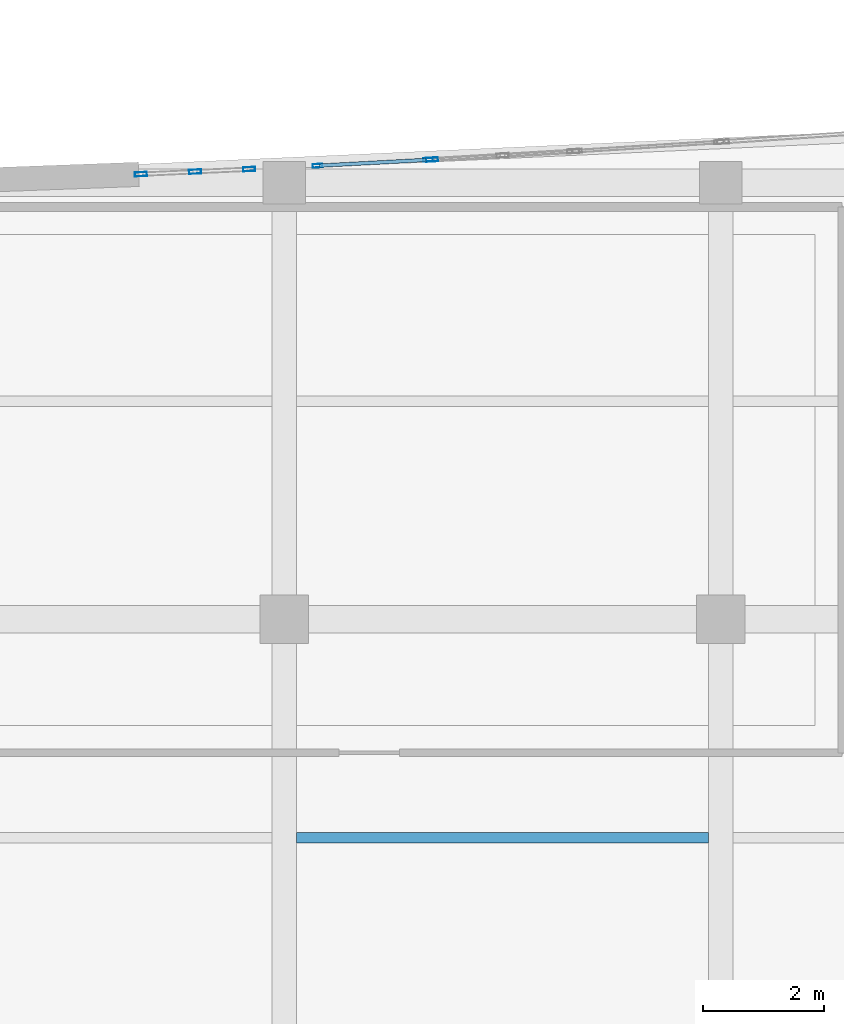
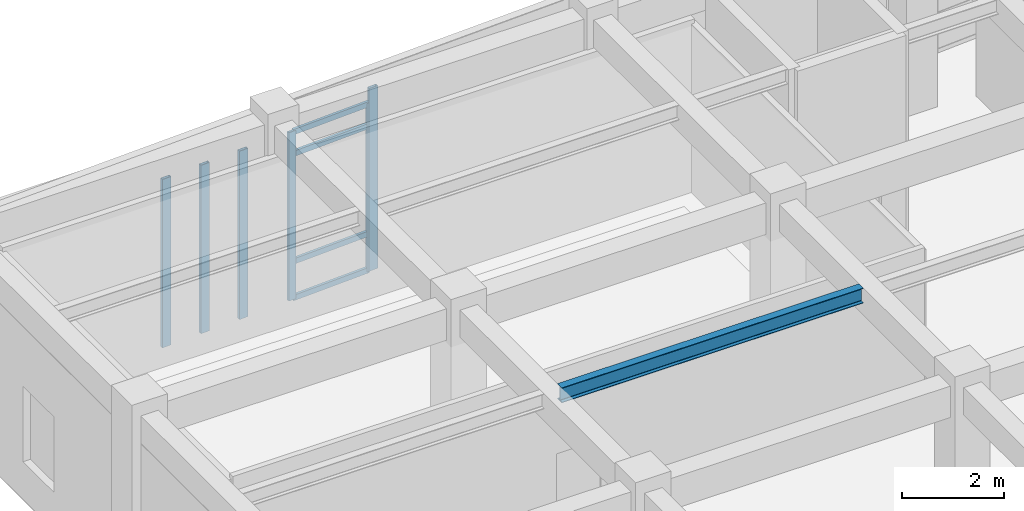
# One storey, part 26 of 117: 10 members, 1 beam, 3 elements without a shape of their own.
"""IFC4 building model written with IfcOpenShell, lengths in metres."""

from ifc_helpers import new_model, si_unit, direction, frame, origin, origin_2d, place, context, subcontext, project, spatial, hollow_rectangle, i_section, extrude, material, layer, layer_set, material_profile, profile_set, type_object, element, aggregate, save


model = new_model("IFC4")

# Units and contexts
model_context = context("Model", 3, precision=1e-05, world=origin(), true_north=direction((0.0, 1.0)))
body_context = subcontext(model_context, "Body", "Model", "MODEL_VIEW")
ifc_project = project(units=[si_unit("LENGTHUNIT", "METRE"), si_unit("AREAUNIT", "SQUARE_METRE"), si_unit("VOLUMEUNIT", "CUBIC_METRE"), si_unit("PLANEANGLEUNIT", "RADIAN"), si_unit("MASSUNIT", "GRAM", prefix="KILO")], contexts=[model_context])

# Site, building, storey
site_placement = place(None, origin())
site = spatial("IfcSite", under=ifc_project, at=site_placement, CompositionType="ELEMENT")
building_placement = place(site_placement, origin())
building = spatial("IfcBuilding", under=site, at=building_placement, Name="Carrowvane Square Congress Hotel", CompositionType="ELEMENT")
storey_placement = place(building_placement, frame((0.0, 0.0, 5.39990234375)))
storey = spatial("IfcBuildingStorey", under=building, at=storey_placement, Name="L01", CompositionType="ELEMENT", Elevation=5.39990234375)

# Beam
ifc_material_1 = material(Name="Steel S355", Category="steel")
ifc_material_profile_1 = material_profile(ifc_material_1, i_section(OverallWidth=0.172119140625, OverallDepth=0.35791015625, WebThickness=0.008056640625, FlangeThickness=0.012939453125, FilletRadius=0.01025390625, at=origin_2d()), Name="UKB 356x171x57")
ifc_profile_set_1 = profile_set([ifc_material_profile_1], Name="Steel S355")
beam_type = type_object("IfcBeamType", Name="BM-ST-UKB356", PredefinedType="JOIST", material=ifc_profile_set_1)
beam_placement = place(storey_placement, frame((40.60009765625, 102.60009765625, 4.60107421875), z_axis=(1.0, 0.0, 0.0), x_axis=(0.0, 1.0, 0.0)))
element("IfcBeam", 1, at=beam_placement, inside=storey, type_object=beam_type, Name="L02 secondary joist 5-6", PredefinedType="JOIST", context=body_context, shape_type="SweptSolid", body=[
    extrude(i_section(OverallWidth=0.172119140625, OverallDepth=0.35791015625, WebThickness=0.008056640625, FlangeThickness=0.012939453125, FilletRadius=0.01025390625, at=origin_2d()), origin(), (0.0, 0.0, 1.0), 6.7998046875),
])

# Curtain wall, members
ifc_material_2 = material(Name="Anodised aluminium", Category="aluminium")
ifc_layer_1 = layer(ifc_material_2, 0.162109375)
ifc_layer_set_1 = layer_set([ifc_layer_1], Name="Anodised aluminium")
curtain_wall_type_1 = type_object("IfcCurtainWallType", Name="CW-SYS-1", PredefinedType="NOTDEFINED", material=ifc_layer_set_1)
curtain_wall_1_placement = place(storey_placement, origin())
curtain_wall_1 = element("IfcCurtainWall", 2, at=curtain_wall_1_placement, inside=storey, type_object=curtain_wall_type_1, Name="L01 unitised curtain wall 64", PredefinedType="NOTDEFINED")
ifc_material_3 = material(Name="Anodised aluminium", Category="aluminium")
ifc_material_profile_2 = material_profile(ifc_material_3, hollow_rectangle(XDim=0.06005859375, YDim=0.159912109375, WallThickness=0.00390625, at=origin_2d()), Name="CW-ML 60x160x4")
ifc_profile_set_2 = profile_set([ifc_material_profile_2], Name="Anodised aluminium")
member_type_1 = type_object("IfcMemberType", Name="CW-MUL-1", PredefinedType="MULLION", material=ifc_profile_set_2)
member_1_placement = place(storey_placement, frame((40.948974609375, 113.68212890625, 0.0), z_axis=(0.0, 0.0, 1.0), x_axis=(-0.053514573083, 0.998567068588, 0.0)))
member_1 = element("IfcMember", 3, at=member_1_placement, type_object=member_type_1, Name="CW-1 mullion 1", PredefinedType="MULLION", context=body_context, shape_type="SweptSolid", body=[
    extrude(hollow_rectangle(XDim=0.06005859375, YDim=0.159912109375, WallThickness=0.00390625, at=origin_2d()), origin(), (0.0, 0.0, 1.0), 4.01513671875),
])
member_2_placement = place(storey_placement, frame((42.77001953125, 113.77978515625, 0.0), z_axis=(0.0, 0.0, 1.0), x_axis=(-0.053514573083, 0.998567068588, 0.0)))
member_2 = element("IfcMember", 4, at=member_2_placement, type_object=member_type_1, Name="CW-1 mullion 2", PredefinedType="MULLION", context=body_context, shape_type="SweptSolid", body=[
    extrude(hollow_rectangle(XDim=0.06005859375, YDim=0.159912109375, WallThickness=0.00390625, at=origin_2d()), origin(), (0.0, 0.0, 1.0), 4.01513671875),
])

ifc_material_4 = material(Name="Anodised aluminium", Category="aluminium")
ifc_layer_2 = layer(ifc_material_4, 0.24609375)
ifc_layer_set_2 = layer_set([ifc_layer_2], Name="Anodised aluminium")
curtain_wall_type_2 = type_object("IfcCurtainWallType", Name="CW-SYS-8", PredefinedType="NOTDEFINED", material=ifc_layer_set_2)
curtain_wall_2_placement = place(storey_placement, origin())
curtain_wall_2 = element("IfcCurtainWall", 5, at=curtain_wall_2_placement, inside=storey, type_object=curtain_wall_type_2, Name="L01 unitised curtain wall 63", PredefinedType="NOTDEFINED")
ifc_material_5 = material(Name="Anodised aluminium", Category="aluminium")
ifc_material_profile_3 = material_profile(ifc_material_5, hollow_rectangle(XDim=0.070068359375, YDim=0.199951171875, WallThickness=0.0048828125, at=origin_2d()), Name="CW-ML 70x200x5")
ifc_profile_set_3 = profile_set([ifc_material_profile_3], Name="Anodised aluminium")
member_type_2 = type_object("IfcMemberType", Name="CW-MUL-2", PredefinedType="MULLION", material=ifc_profile_set_3)
member_3_placement = place(storey_placement, frame((38.034912109375, 113.54248046875, 0.0), z_axis=(0.0, 0.0, 1.0), x_axis=(-0.04651698979, 0.998917498926, 0.0)))
member_3 = element("IfcMember", 6, at=member_3_placement, type_object=member_type_2, Name="CW-8 mullion 1", PredefinedType="MULLION", context=body_context, shape_type="SweptSolid", body=[
    extrude(hollow_rectangle(XDim=0.070068359375, YDim=0.199951171875, WallThickness=0.0048828125, at=origin_2d()), origin(), (0.0, 0.0, 1.0), 4.01513671875),
])
member_4_placement = place(storey_placement, frame((38.927734375, 113.584228515625, 0.0), z_axis=(0.0, 0.0, 1.0), x_axis=(-0.04651698979, 0.998917498926, 0.0)))
member_4 = element("IfcMember", 7, at=member_4_placement, type_object=member_type_2, Name="CW-8 mullion 2", PredefinedType="MULLION", context=body_context, shape_type="SweptSolid", body=[
    extrude(hollow_rectangle(XDim=0.070068359375, YDim=0.199951171875, WallThickness=0.0048828125, at=origin_2d()), origin(), (0.0, 0.0, 1.0), 4.01513671875),
])
member_5_placement = place(storey_placement, frame((39.820556640625, 113.625732421875, 0.0), z_axis=(0.0, 0.0, 1.0), x_axis=(-0.04651698979, 0.998917498926, 0.0)))
member_5 = element("IfcMember", 8, at=member_5_placement, type_object=member_type_2, Name="CW-8 mullion 3", PredefinedType="MULLION", context=body_context, shape_type="SweptSolid", body=[
    extrude(hollow_rectangle(XDim=0.070068359375, YDim=0.199951171875, WallThickness=0.0048828125, at=origin_2d()), origin(), (0.0, 0.0, 1.0), 4.01513671875),
])
aggregate(curtain_wall_2, [member_3, member_4, member_5])

# Curtain wall, member
ifc_material_6 = material(Name="Anodised aluminium", Category="aluminium")
ifc_layer_3 = layer(ifc_material_6, 0.174072265625)
ifc_layer_set_3 = layer_set([ifc_layer_3], Name="Anodised aluminium")
curtain_wall_type_3 = type_object("IfcCurtainWallType", Name="CW-SYS-2", PredefinedType="NOTDEFINED", material=ifc_layer_set_3)
curtain_wall_3_placement = place(storey_placement, origin())
curtain_wall_3 = element("IfcCurtainWall", 9, at=curtain_wall_3_placement, inside=storey, type_object=curtain_wall_type_3, Name="L01 unitised curtain wall 65", PredefinedType="NOTDEFINED")
member_6_placement = place(storey_placement, frame((42.8349609375, 113.783447265625, 0.0), z_axis=(0.0, 0.0, 1.0), x_axis=(-0.058988522254, 0.99825866099, 0.0)))
member_6 = element("IfcMember", 10, at=member_6_placement, type_object=member_type_2, Name="CW-2 mullion 1", PredefinedType="MULLION", context=body_context, shape_type="SweptSolid", body=[
    extrude(hollow_rectangle(XDim=0.070068359375, YDim=0.199951171875, WallThickness=0.0048828125, at=origin_2d()), origin(), (0.0, 0.0, 1.0), 4.355712890625),
])
aggregate(curtain_wall_3, [member_6])

# Member
ifc_material_7 = material(Name="Anodised aluminium", Category="aluminium")
ifc_material_profile_4 = material_profile(ifc_material_7, hollow_rectangle(XDim=0.06005859375, YDim=0.1298828125, WallThickness=0.00390625, at=origin_2d()), Name="CW-TR 60x130x4")
ifc_profile_set_4 = profile_set([ifc_material_profile_4], Name="Anodised aluminium")
member_type_3 = type_object("IfcMemberType", Name="CW-TRN-1", PredefinedType="USERDEFINED", material=ifc_profile_set_4)
member_7_placement = place(storey_placement, frame((40.97900390625, 113.683837890625, 0.030029296875), z_axis=(0.998571167987, 0.053438024517, 0.0), x_axis=(-0.053438024517, 0.998571167987, 0.0)))
member_7 = element("IfcMember", 11, at=member_7_placement, type_object=member_type_3, Name="CW-1 transom 1.1", ObjectType="TRANSOM", PredefinedType="USERDEFINED", context=body_context, shape_type="SweptSolid", body=[
    extrude(hollow_rectangle(XDim=0.06005859375, YDim=0.1298828125, WallThickness=0.00390625, at=origin_2d()), origin(), (0.0, 0.0, 1.0), 1.763427734375),
])

member_8_placement = place(storey_placement, frame((40.97900390625, 113.683837890625, 0.900146484375), z_axis=(0.998571167987, 0.053438024517, 0.0), x_axis=(-0.053438024517, 0.998571167987, 0.0)))
member_8 = element("IfcMember", 12, at=member_8_placement, type_object=member_type_3, Name="CW-1 transom 1.2", ObjectType="TRANSOM", PredefinedType="USERDEFINED", context=body_context, shape_type="SweptSolid", body=[
    extrude(hollow_rectangle(XDim=0.06005859375, YDim=0.1298828125, WallThickness=0.00390625, at=origin_2d()), origin(), (0.0, 0.0, 1.0), 1.763427734375),
])

member_9_placement = place(storey_placement, frame((40.97900390625, 113.683837890625, 3.465087890625), z_axis=(0.998571167987, 0.053438024517, 0.0), x_axis=(-0.053438024517, 0.998571167987, 0.0)))
member_9 = element("IfcMember", 13, at=member_9_placement, type_object=member_type_3, Name="CW-1 transom 1.3", ObjectType="TRANSOM", PredefinedType="USERDEFINED", context=body_context, shape_type="SweptSolid", body=[
    extrude(hollow_rectangle(XDim=0.06005859375, YDim=0.1298828125, WallThickness=0.00390625, at=origin_2d()), origin(), (0.0, 0.0, 1.0), 1.763427734375),
])

member_10_placement = place(storey_placement, frame((40.97900390625, 113.683837890625, 3.985107421875), z_axis=(0.998571167987, 0.053438024517, 0.0), x_axis=(-0.053438024517, 0.998571167987, 0.0)))
member_10 = element("IfcMember", 14, at=member_10_placement, type_object=member_type_3, Name="CW-1 transom 1.4", ObjectType="TRANSOM", PredefinedType="USERDEFINED", context=body_context, shape_type="SweptSolid", body=[
    extrude(hollow_rectangle(XDim=0.06005859375, YDim=0.1298828125, WallThickness=0.00390625, at=origin_2d()), origin(), (0.0, 0.0, 1.0), 1.763427734375),
])

aggregate(curtain_wall_1, [member_1, member_2, member_7, member_8, member_9, member_10])

save(model, "model.ifc")
